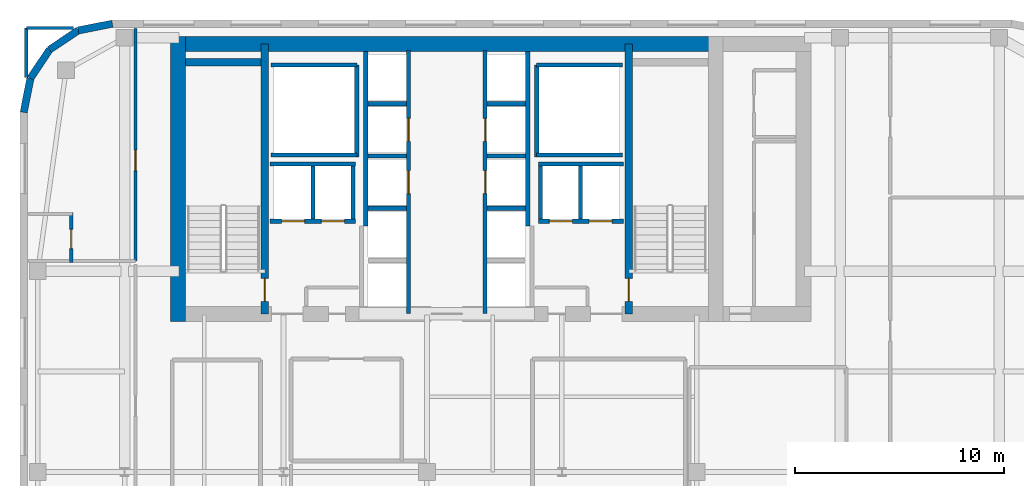
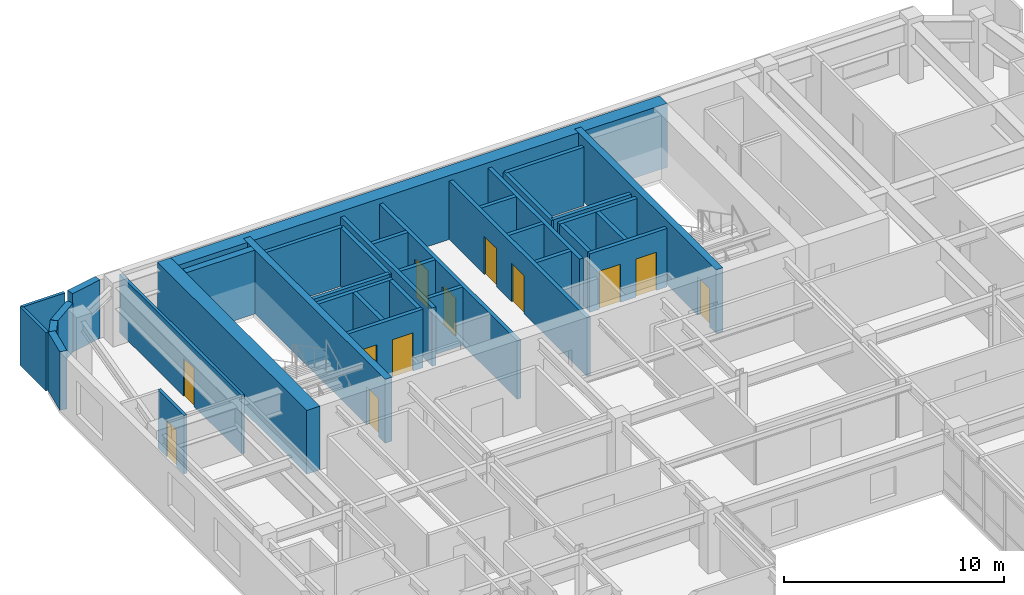
# One storey, part 11 of 14: 37 walls, 12 doors, 12 openings.
"""IFC4 building model written with IfcOpenShell, lengths in metres."""

from ifc_helpers import new_model, si_unit, direction, frame, frame_2d, origin, place, context, subcontext, project, spatial, rectangle, extrude, source, transform, mapped, material, layer, layer_set, type_object, type_shapes, element, fill, save


model = new_model("IFC4")

# Units and contexts
model_context = context("Model", 3, precision=1e-05, world=origin(), true_north=direction((0.0, 1.0)))
body_context = subcontext(model_context, "Body", "Model", "MODEL_VIEW")
ifc_project = project(units=[si_unit("LENGTHUNIT", "METRE"), si_unit("AREAUNIT", "SQUARE_METRE"), si_unit("VOLUMEUNIT", "CUBIC_METRE"), si_unit("PLANEANGLEUNIT", "RADIAN"), si_unit("MASSUNIT", "GRAM", prefix="KILO")], contexts=[model_context])

# Site, building, storey
site_placement = place(None, origin())
site = spatial("IfcSite", under=ifc_project, at=site_placement, CompositionType="ELEMENT")
building_placement = place(site_placement, origin())
building = spatial("IfcBuilding", under=site, at=building_placement, Name="Tolvann Quenvar Hotel", CompositionType="ELEMENT")
storey_placement = place(building_placement, frame((0.0, 0.0, 179.0)))
storey = spatial("IfcBuildingStorey", under=building, at=storey_placement, Name="L47", CompositionType="ELEMENT", Elevation=179.0)

# Walls
ifc_material_1 = material(Name="Concrete S65 (65 MPa)", Category="concrete")
ifc_layer_1 = layer(ifc_material_1, 0.699951171875)
ifc_layer_set_1 = layer_set([ifc_layer_1], Name="Concrete S65 (65 MPa)")
wall_type_1 = type_object("IfcWallType", Name="WALL_CORE_700", PredefinedType="SHEAR", material=ifc_layer_set_1)
wall_1_placement = place(storey_placement, frame((9.800048828125, 44.85009765625, 0.0), z_axis=(0.0, 0.0, 1.0), x_axis=(1.0, 0.0, 0.0)))
element("IfcWall", 1, at=wall_1_placement, inside=storey, type_object=wall_type_1, Name="Rear Core N Shear Wall (L47)", PredefinedType="SHEAR", context=body_context, shape_type="SweptSolid", body=[
    extrude(rectangle(XDim=26.39990234375, YDim=0.699951171875, at=frame_2d((13.199951171875, 0.0))), origin(), (0.0, 0.0, 1.0), 3.550048828125),
])
wall_2_placement = place(storey_placement, frame((10.14990234375, 31.60009765625, 0.0), z_axis=(0.0, 0.0, 1.0), x_axis=(0.0, 1.0, 0.0)))
element("IfcWall", 2, at=wall_2_placement, inside=storey, type_object=wall_type_1, Name="Rear Core W Shear Wall (L47)", PredefinedType="SHEAR", context=body_context, shape_type="SweptSolid", body=[
    extrude(rectangle(XDim=13.599853515625, YDim=0.699951171875, at=frame_2d((6.7998046875, 0.0))), origin(), (0.0, 0.0, 1.0), 3.550048828125),
])

# Wall, opening, door
ifc_layer_2 = layer(ifc_material_1, 0.35009765625)
ifc_layer_set_2 = layer_set([ifc_layer_2], Name="Concrete S65 (65 MPa)")
wall_type_2 = type_object("IfcWallType", Name="WALL_CORE_INT_350", PredefinedType="SHEAR", material=ifc_layer_set_2)
wall_3_placement = place(storey_placement, frame((14.300048828125, 31.949951171875, 0.0), z_axis=(0.0, 0.0, 1.0), x_axis=(0.0, 1.0, 0.0)))
wall_3 = element("IfcWall", 3, at=wall_3_placement, inside=storey, type_object=wall_type_2, Name="Core Internal Web Shear Wall WEB-W (L47)", PredefinedType="SHEAR", context=body_context, shape_type="SweptSolid", body=[
    extrude(rectangle(XDim=12.900146484375, YDim=0.35009765625, at=frame_2d((6.4501953125, 0.0))), origin(), (0.0, 0.0, 1.0), 3.550048828125),
])
opening_1_placement = place(wall_3_placement, frame((0.60009765625, 0.0, 0.0)))
opening_1 = element("IfcOpeningElement", 4, at=opening_1_placement, cuts=wall_3, Name="Opening FD-120", PredefinedType="OPENING", context=body_context, shape_type="SweptSolid", body=[
    extrude(rectangle(XDim=1.10009765625, YDim=2.1201171875, at=frame_2d((0.550048828125, 1.06005859375))), frame((0.0, 0.18505859375, 0.0), z_axis=(0.0, -1.0, 0.0), x_axis=(1.0, 0.0, 0.0)), (0.0, 0.0, 1.0), 0.3701171875),
])
ifc_material_2 = material(Name="Pressed galvanised steel fire-rated door set", Category="steel")
door_type_1 = type_object("IfcDoorType", Name="DOOR_FIRE_STAIR_1100", OperationType="NOTDEFINED", PredefinedType="DOOR", material=ifc_material_2)
shared_shape_1 = source(origin(), body_context, "Body", "SweptSolid", [
    extrude(rectangle(XDim=1.10009765625, YDim=2.1201171875, at=frame_2d((0.550048828125, 1.06005859375))), frame((0.0, 0.02490234375, 0.0), z_axis=(0.0, -1.0, 0.0), x_axis=(1.0, 0.0, 0.0)), (0.0, 0.0, 1.0), 0.050048828125),
])
type_shapes(door_type_1, [shared_shape_1])
door_1_placement = place(opening_1_placement, origin())
door_1 = element("IfcDoor", 5, at=door_1_placement, inside=storey, type_object=door_type_1, Name="Exit Stair ST-C1 Fire Door (L47)", OperationType="SINGLE_SWING_LEFT", OverallHeight=2.1201171875, OverallWidth=1.10009765625, PredefinedType="DOOR", context=body_context, shape_type="MappedRepresentation", body=[
    mapped(shared_shape_1, transform((0.0, 0.0, 0.0), x_axis=(1.0, 0.0, 0.0), y_axis=(0.0, 1.0, 0.0), z_axis=(0.0, 0.0, 1.0), scale=1.0)),
])
fill(opening_1, door_1)

wall_4_placement = place(storey_placement, frame((31.699951171875, 31.949951171875, 0.0), z_axis=(0.0, 0.0, 1.0), x_axis=(0.0, 1.0, 0.0)))
wall_4 = element("IfcWall", 6, at=wall_4_placement, inside=storey, type_object=wall_type_2, Name="Core Internal Web Shear Wall WEB-E (L47)", PredefinedType="SHEAR", context=body_context, shape_type="SweptSolid", body=[
    extrude(rectangle(XDim=12.900146484375, YDim=0.35009765625, at=frame_2d((6.4501953125, 0.0))), origin(), (0.0, 0.0, 1.0), 3.550048828125),
])
opening_2_placement = place(wall_4_placement, frame((1.7001953125, 0.0, 0.0), z_axis=(0.0, 0.0, 1.0), x_axis=(-1.0, 0.0, 0.0)))
opening_2 = element("IfcOpeningElement", 7, at=opening_2_placement, cuts=wall_4, Name="Opening FD-120", PredefinedType="OPENING", context=body_context, shape_type="SweptSolid", body=[
    extrude(rectangle(XDim=1.10009765625, YDim=2.1201171875, at=frame_2d((0.550048828125, 1.06005859375))), frame((0.0, 0.18505859375, 0.0), z_axis=(0.0, -1.0, 0.0), x_axis=(1.0, 0.0, 0.0)), (0.0, 0.0, 1.0), 0.3701171875),
])
door_2_placement = place(opening_2_placement, origin())
door_2 = element("IfcDoor", 8, at=door_2_placement, inside=storey, type_object=door_type_1, Name="Exit Stair ST-C2 Fire Door (L47)", OperationType="SINGLE_SWING_RIGHT", OverallHeight=2.1201171875, OverallWidth=1.10009765625, PredefinedType="DOOR", context=body_context, shape_type="MappedRepresentation", body=[
    mapped(shared_shape_1, transform((0.0, 0.0, 0.0), x_axis=(1.0, 0.0, 0.0), y_axis=(0.0, 1.0, 0.0), z_axis=(0.0, 0.0, 1.0), scale=1.0)),
])
fill(opening_2, door_2)

# Walls
wall_5_placement = place(storey_placement, frame((10.52001953125, 43.97509765625, 0.0), z_axis=(0.0, 0.0, 1.0), x_axis=(1.0, 0.0, 0.0)))
element("IfcWall", 9, at=wall_5_placement, inside=storey, type_object=wall_type_2, Name="Core Stair North Closing Shear Wall STC1-N (L47)", PredefinedType="SHEAR", context=body_context, shape_type="SweptSolid", body=[
    extrude(rectangle(XDim=3.60009765625, YDim=0.35009765625, at=frame_2d((1.800048828125, 0.0))), origin(), (0.0, 0.0, 1.0), 3.550048828125),
])
ifc_material_3 = material(Name="Kiln-fired red and buff architectural clay brickwork and terracotta masonry", Category="masonry")
ifc_layer_3 = layer(ifc_material_3, 0.35009765625)
ifc_layer_set_3 = layer_set([ifc_layer_3], Name="Kiln-fired red and buff architectural clay brickwork and terracotta masonry")
wall_type_3 = type_object("IfcWallType", Name="WALL_EXT_BRICK_350", PredefinedType="SOLIDWALL", material=ifc_layer_set_3)
wall_6_placement = place(storey_placement, frame((7.01708984375, 45.824951171875, 0.0), z_axis=(0.0, 0.0, 1.0), x_axis=(-0.980788844421, -0.195072403631, 0.0)))
element("IfcWall", 10, at=wall_6_placement, inside=storey, type_object=wall_type_3, Name="Exterior Chicago Brick Wall L47-E19", PredefinedType="SOLIDWALL", context=body_context, shape_type="SweptSolid", body=[
    extrude(rectangle(XDim=1.66455078125, YDim=0.35009765625, at=frame_2d((0.832275390625, 0.0))), origin(), (0.0, 0.0, 1.0), 3.25),
])
for number, where, z_axis, x_axis, name in (
    (11, (5.384521484375, 45.500244140625, 0.0), (0.0, 0.0, 1.0), (-0.831502623162, -0.555520825599, 0.0), "Exterior Chicago Brick Wall L47-E20"),
    (12, (4.014892578125, 44.585205078125, 0.0), (0.0, 0.0, 1.0), (-0.555623290322, -0.831434158098, 0.0), "Exterior Chicago Brick Wall L47-E21"),
):
    element("IfcWall", number, at=place(storey_placement, frame(where, z_axis=z_axis, x_axis=x_axis)), inside=storey, type_object=wall_type_3, Name=name, PredefinedType="SOLIDWALL", context=body_context, shape_type="SweptSolid", body=[
        extrude(rectangle(XDim=1.647216796875, YDim=0.35009765625, at=frame_2d((0.82373046875, 0.0))), origin(), (0.0, 0.0, 1.0), 2.7119140625),
    ])
wall_7_placement = place(storey_placement, frame((3.099609375, 43.215576171875, 0.0), z_axis=(0.0, 0.0, 1.0), x_axis=(-0.195044345786, -0.980794424524, 0.0)))
element("IfcWall", 13, at=wall_7_placement, inside=storey, type_object=wall_type_3, Name="Exterior Chicago Brick Wall L47-E22", PredefinedType="SOLIDWALL", context=body_context, shape_type="SweptSolid", body=[
    extrude(rectangle(XDim=1.664794921875, YDim=0.35009765625, at=frame_2d((0.83251953125, 0.0))), origin(), (0.0, 0.0, 1.0), 3.25),
])

# Wall, opening, door
ifc_material_4 = material(Name="Acoustic twin-stud fire-rated gypsum plasterboard partition")
ifc_layer_4 = layer(ifc_material_4, 0.14990234375)
ifc_layer_set_4 = layer_set([ifc_layer_4], Name="Acoustic twin-stud fire-rated gypsum plasterboard partition")
wall_type_4 = type_object("IfcWallType", Name="WALL_PART_SUITE_150", PredefinedType="PARTITIONING", material=ifc_layer_set_4)
wall_8_placement = place(storey_placement, frame((5.050048828125, 34.409912109375, 0.0), z_axis=(0.0, 0.0, 1.0), x_axis=(0.0, 1.0, 0.0)))
wall_8 = element("IfcWall", 14, at=wall_8_placement, inside=storey, type_object=wall_type_4, Name="Interior Partition PT-SPC-L47-ENS-NW02-ENT", PredefinedType="PARTITIONING", context=body_context, shape_type="SweptSolid", body=[
    extrude(rectangle(XDim=2.39013671875, YDim=0.14990234375, at=frame_2d((1.195068359375, 0.0))), origin(), (0.0, 0.0, 1.0), 3.25),
])
opening_3_placement = place(wall_8_placement, frame((0.6650390625, 0.0, 0.0)))
opening_3 = element("IfcOpeningElement", 15, at=opening_3_placement, cuts=wall_8, Name="Opening WD-01", PredefinedType="OPENING", context=body_context, shape_type="SweptSolid", body=[
    extrude(rectangle(XDim=0.919921875, YDim=2.010009765625, at=frame_2d((0.4599609375, 1.0048828125))), frame((0.0, 0.0849609375, 0.0), z_axis=(0.0, -1.0, 0.0), x_axis=(1.0, 0.0, 0.0)), (0.0, 0.0, 1.0), 0.169921875),
])
ifc_material_5 = material(Name="Solid-core American oak acoustic fire door leaf in steel frame", Category="steel")
door_type_2 = type_object("IfcDoorType", Name="DOOR_WC_920", OperationType="NOTDEFINED", PredefinedType="DOOR", material=ifc_material_5)
shared_shape_2 = source(origin(), body_context, "Body", "SweptSolid", [
    extrude(rectangle(XDim=0.919921875, YDim=2.010009765625, at=frame_2d((0.4599609375, 1.0048828125))), frame((0.0, 0.02490234375, 0.0), z_axis=(0.0, -1.0, 0.0), x_axis=(1.0, 0.0, 0.0)), (0.0, 0.0, 1.0), 0.050048828125),
])
type_shapes(door_type_2, [shared_shape_2])
door_3_placement = place(opening_3_placement, origin())
door_3 = element("IfcDoor", 16, at=door_3_placement, inside=storey, type_object=door_type_2, Name="Interior Door DOOR-SPC-L47-ENS-NW02", OperationType="SINGLE_SWING_LEFT", OverallHeight=2.010009765625, OverallWidth=0.919921875, PredefinedType="DOOR", context=body_context, shape_type="MappedRepresentation", body=[
    mapped(shared_shape_2, transform((0.0, 0.0, 0.0), x_axis=(1.0, 0.0, 0.0), y_axis=(0.0, 1.0, 0.0), z_axis=(0.0, 0.0, 1.0), scale=1.0)),
])
fill(opening_3, door_3)

wall_9_placement = place(storey_placement, frame((8.1201171875, 34.47998046875, 0.0), z_axis=(0.0, 0.0, 1.0), x_axis=(0.0, 1.0, 0.0)))
wall_9 = element("IfcWall", 17, at=wall_9_placement, inside=storey, type_object=wall_type_4, Name="Interior Partition PT-SPC-L47-RM-NW02-ENT", PredefinedType="PARTITIONING", context=body_context, shape_type="SweptSolid", body=[
    extrude(rectangle(XDim=11.114990234375, YDim=0.14990234375, at=frame_2d((5.5576171875, 0.0))), origin(), (0.0, 0.0, 1.0), 3.25),
])
opening_4_placement = place(wall_9_placement, frame((4.320068359375, 0.0, 0.0)))
opening_4 = element("IfcOpeningElement", 18, at=opening_4_placement, cuts=wall_9, Name="Opening SD-01", PredefinedType="OPENING", context=body_context, shape_type="SweptSolid", body=[
    extrude(rectangle(XDim=0.97998046875, YDim=2.1201171875, at=frame_2d((0.489990234375, 1.06005859375))), frame((0.0, 0.0849609375, 0.0), z_axis=(0.0, -1.0, 0.0), x_axis=(1.0, 0.0, 0.0)), (0.0, 0.0, 1.0), 0.169921875),
])
door_type_3 = type_object("IfcDoorType", Name="DOOR_SUITE_980", OperationType="NOTDEFINED", PredefinedType="DOOR", material=ifc_material_5)
shared_shape_3 = source(origin(), body_context, "Body", "SweptSolid", [
    extrude(rectangle(XDim=0.97998046875, YDim=2.1201171875, at=frame_2d((0.489990234375, 1.06005859375))), frame((0.0, 0.02490234375, 0.0), z_axis=(0.0, -1.0, 0.0), x_axis=(1.0, 0.0, 0.0)), (0.0, 0.0, 1.0), 0.050048828125),
])
type_shapes(door_type_3, [shared_shape_3])
door_4_placement = place(opening_4_placement, origin())
door_4 = element("IfcDoor", 19, at=door_4_placement, inside=storey, type_object=door_type_3, Name="Interior Door DOOR-SPC-L47-RM-NW02", OperationType="SINGLE_SWING_RIGHT", OverallHeight=2.1201171875, OverallWidth=0.97998046875, PredefinedType="DOOR", context=body_context, shape_type="MappedRepresentation", body=[
    mapped(shared_shape_3, transform((0.0, 0.0, 0.0), x_axis=(1.0, 0.0, 0.0), y_axis=(0.0, 1.0, 0.0), z_axis=(0.0, 0.0, 1.0), scale=1.0)),
])
fill(opening_4, door_4)

# Walls
wall_10_placement = place(storey_placement, frame((2.89990234375, 45.6201171875, 0.0), z_axis=(0.0, 0.0, 1.0), x_axis=(1.0, 0.0, 0.0)))
element("IfcWall", 20, at=wall_10_placement, inside=storey, type_object=wall_type_4, Name="Interior Partition PT-SPC-L47-RM-NW02-E5", PredefinedType="PARTITIONING", context=body_context, shape_type="SweptSolid", body=[
    extrude(rectangle(XDim=2.25, YDim=0.14990234375, at=frame_2d((1.125, 0.0))), origin(), (0.0, 0.0, 1.0), 3.25),
])
wall_11_placement = place(storey_placement, frame((2.89990234375, 43.2548828125, 0.0), z_axis=(0.0, 0.0, 1.0), x_axis=(0.0, 1.0, 0.0)))
element("IfcWall", 21, at=wall_11_placement, inside=storey, type_object=wall_type_4, Name="Interior Partition PT-SPC-L47-RM-NW02-E6", PredefinedType="PARTITIONING", context=body_context, shape_type="SweptSolid", body=[
    extrude(rectangle(XDim=2.365234375, YDim=0.14990234375, at=frame_2d((1.1826171875, 0.0))), origin(), (0.0, 0.0, 1.0), 3.25),
])
ifc_material_6 = material(Name="Concrete N40 (40 MPa)", Category="concrete")
ifc_layer_5 = layer(ifc_material_6, 0.199951171875)
ifc_layer_set_5 = layer_set([ifc_layer_5], Name="Concrete N40 (40 MPa)")
wall_type_5 = type_object("IfcWallType", Name="WALL_SHAFT_200", PredefinedType="SOLIDWALL", material=ifc_layer_set_5)
wall_12_placement = place(storey_placement, frame((18.699951171875, 39.449951171875, 0.0), z_axis=(0.0, 0.0, 1.0), x_axis=(0.0, 1.0, 0.0)))
element("IfcWall", 22, at=wall_12_placement, inside=storey, type_object=wall_type_5, Name="Service Riser W Shaft Wall IN (L47)", PredefinedType="SOLIDWALL", context=body_context, shape_type="SweptSolid", body=[
    extrude(rectangle(XDim=4.400146484375, YDim=0.199951171875, at=frame_2d((2.2001953125, 0.0))), origin(), (0.0, 0.0, 1.0), 3.25),
])
for number, where, z_axis, x_axis, name in (
    (23, (14.60009765625, 39.550048828125, 0.0), (0.0, 0.0, 1.0), (1.0, 0.0, 0.0), "Service Riser W Shaft Wall S (L47)"),
    (24, (14.60009765625, 43.85009765625, 0.0), (0.0, 0.0, 1.0), (1.0, 0.0, 0.0), "Service Riser W Shaft Wall N (L47)"),
):
    element("IfcWall", number, at=place(storey_placement, frame(where, z_axis=z_axis, x_axis=x_axis)), inside=storey, type_object=wall_type_5, Name=name, PredefinedType="SOLIDWALL", context=body_context, shape_type="SweptSolid", body=[
        extrude(rectangle(XDim=4.099853515625, YDim=0.199951171875, at=frame_2d((2.0498046875, 0.0))), origin(), (0.0, 0.0, 1.0), 3.25),
    ])
wall_13_placement = place(storey_placement, frame((27.300048828125, 39.449951171875, 0.0), z_axis=(0.0, 0.0, 1.0), x_axis=(0.0, 1.0, 0.0)))
element("IfcWall", 25, at=wall_13_placement, inside=storey, type_object=wall_type_5, Name="Service Riser E Shaft Wall IN (L47)", PredefinedType="SOLIDWALL", context=body_context, shape_type="SweptSolid", body=[
    extrude(rectangle(XDim=4.400146484375, YDim=0.199951171875, at=frame_2d((2.2001953125, 0.0))), origin(), (0.0, 0.0, 1.0), 3.25),
])
for number, where, z_axis, x_axis, name in (
    (26, (27.300048828125, 39.550048828125, 0.0), (0.0, 0.0, 1.0), (1.0, 0.0, 0.0), "Service Riser E Shaft Wall S (L47)"),
    (27, (27.300048828125, 43.85009765625, 0.0), (0.0, 0.0, 1.0), (1.0, 0.0, 0.0), "Service Riser E Shaft Wall N (L47)"),
):
    element("IfcWall", number, at=place(storey_placement, frame(where, z_axis=z_axis, x_axis=x_axis)), inside=storey, type_object=wall_type_5, Name=name, PredefinedType="SOLIDWALL", context=body_context, shape_type="SweptSolid", body=[
        extrude(rectangle(XDim=4.099853515625, YDim=0.199951171875, at=frame_2d((2.0498046875, 0.0))), origin(), (0.0, 0.0, 1.0), 3.25),
    ])

# Wall, openings, doors
wall_14_placement = place(storey_placement, frame((21.169921875, 31.9599609375, 0.0), z_axis=(0.0, 0.0, 1.0), x_axis=(0.0, 1.0, 0.0)))
wall_14 = element("IfcWall", 28, at=wall_14_placement, inside=storey, type_object=wall_type_5, Name="Lift Bank E21.1C1 Hoistway Front Wall (L47)", PredefinedType="SOLIDWALL", context=body_context, shape_type="SweptSolid", body=[
    extrude(rectangle(XDim=12.580078125, YDim=0.199951171875, at=frame_2d((6.2900390625, 0.0))), origin(), (0.0, 0.0, 1.0), 3.25),
])
opening_5_placement = place(wall_14_placement, frame((5.739990234375, 0.0, 0.0)))
opening_5 = element("IfcOpeningElement", 29, at=opening_5_placement, cuts=wall_14, Name="Opening LD-01", PredefinedType="OPENING", context=body_context, shape_type="SweptSolid", body=[
    extrude(rectangle(XDim=1.10009765625, YDim=2.1201171875, at=frame_2d((0.550048828125, 1.06005859375))), frame((0.0, 0.10986328125, 0.0), z_axis=(0.0, -1.0, 0.0), x_axis=(1.0, 0.0, 0.0)), (0.0, 0.0, 1.0), 0.219970703125),
])
opening_6_placement = place(wall_14_placement, frame((8.239990234375, 0.0, 0.0)))
opening_6 = element("IfcOpeningElement", 30, at=opening_6_placement, cuts=wall_14, Name="Opening LD-01", PredefinedType="OPENING", context=body_context, shape_type="SweptSolid", body=[
    extrude(rectangle(XDim=1.10009765625, YDim=2.1201171875, at=frame_2d((0.550048828125, 1.06005859375))), frame((0.0, 0.10986328125, 0.0), z_axis=(0.0, -1.0, 0.0), x_axis=(1.0, 0.0, 0.0)), (0.0, 0.0, 1.0), 0.219970703125),
])
ifc_material_7 = material(Name="Brushed 316 stainless steel automatic sliding lift landing door", Category="steel")
door_type_4 = type_object("IfcDoorType", Name="DOOR_LIFT_SLIDE_1100", OperationType="NOTDEFINED", PredefinedType="DOOR", material=ifc_material_7)
shared_shape_4 = source(origin(), body_context, "Body", "SweptSolid", [
    extrude(rectangle(XDim=1.10009765625, YDim=2.1201171875, at=frame_2d((0.550048828125, 1.06005859375))), frame((0.0, 0.02490234375, 0.0), z_axis=(0.0, -1.0, 0.0), x_axis=(1.0, 0.0, 0.0)), (0.0, 0.0, 1.0), 0.050048828125),
])
type_shapes(door_type_4, [shared_shape_4])
door_5_placement = place(opening_5_placement, origin())
door_5 = element("IfcDoor", 31, at=door_5_placement, inside=storey, type_object=door_type_4, Name="Lift PM-1 Sliding Landing Door (L47)", OperationType="SLIDING_TO_RIGHT", OverallHeight=2.1201171875, OverallWidth=1.10009765625, PredefinedType="DOOR", context=body_context, shape_type="MappedRepresentation", body=[
    mapped(shared_shape_4, transform((0.0, 0.0, 0.0), x_axis=(1.0, 0.0, 0.0), y_axis=(0.0, 1.0, 0.0), z_axis=(0.0, 0.0, 1.0), scale=1.0)),
])
fill(opening_5, door_5)
door_6_placement = place(opening_6_placement, origin())
door_6 = element("IfcDoor", 32, at=door_6_placement, inside=storey, type_object=door_type_4, Name="Lift PM-2 Sliding Landing Door (L47)", OperationType="SLIDING_TO_LEFT", OverallHeight=2.1201171875, OverallWidth=1.10009765625, PredefinedType="DOOR", context=body_context, shape_type="MappedRepresentation", body=[
    mapped(shared_shape_4, transform((0.0, 0.0, 0.0), x_axis=(1.0, 0.0, 0.0), y_axis=(0.0, 1.0, 0.0), z_axis=(0.0, 0.0, 1.0), scale=1.0)),
])
fill(opening_6, door_6)

# Walls
wall_15_placement = place(storey_placement, frame((19.1298828125, 36.159912109375, 0.0), z_axis=(0.0, 0.0, 1.0), x_axis=(0.0, 1.0, 0.0)))
element("IfcWall", 33, at=wall_15_placement, inside=storey, type_object=wall_type_5, Name="Lift Bank E21.1C1 Hoistway Rear Wall (L47)", PredefinedType="SOLIDWALL", context=body_context, shape_type="SweptSolid", body=[
    extrude(rectangle(XDim=8.336181640625, YDim=0.199951171875, at=frame_2d((4.16796875, 0.0))), origin(), (0.0, 0.0, 1.0), 3.25),
])
for number, where, z_axis, x_axis, name in (
    (34, (19.22998046875, 37.0, 0.0), (0.0, 0.0, 1.0), (1.0, 0.0, 0.0), "Lift Bank E21.1C1 Divider Wall 2 (L47)"),
    (35, (19.22998046875, 39.5, 0.0), (0.0, 0.0, 1.0), (1.0, 0.0, 0.0), "Lift Bank E21.1C1 Divider Wall 3 (L47)"),
    (36, (19.22998046875, 42.0, 0.0), (0.0, 0.0, 1.0), (1.0, 0.0, 0.0), "Lift Bank E21.1C1 Divider Wall 4 (L47)"),
):
    element("IfcWall", number, at=place(storey_placement, frame(where, z_axis=z_axis, x_axis=x_axis)), inside=storey, type_object=wall_type_5, Name=name, PredefinedType="SOLIDWALL", context=body_context, shape_type="SweptSolid", body=[
        extrude(rectangle(XDim=1.840087890625, YDim=0.199951171875, at=frame_2d((0.919921875, 0.0))), origin(), (0.0, 0.0, 1.0), 3.25),
    ])

# Wall, openings, doors
wall_16_placement = place(storey_placement, frame((27.375, 36.3798828125, 0.0), z_axis=(0.0, 0.0, 1.0), x_axis=(1.0, 0.0, 0.0)))
wall_16 = element("IfcWall", 37, at=wall_16_placement, inside=storey, type_object=wall_type_5, Name="Lift Bank SEC1 Hoistway Front Wall (L47)", PredefinedType="SOLIDWALL", context=body_context, shape_type="SweptSolid", body=[
    extrude(rectangle(XDim=4.074951171875, YDim=0.199951171875, at=frame_2d((2.03759765625, 0.0))), origin(), (0.0, 0.0, 1.0), 3.25),
])
opening_7_placement = place(wall_16_placement, frame((0.52490234375, 0.0, 0.0)))
opening_7 = element("IfcOpeningElement", 38, at=opening_7_placement, cuts=wall_16, Name="Opening LD-01", PredefinedType="OPENING", context=body_context, shape_type="SweptSolid", body=[
    extrude(rectangle(XDim=1.10009765625, YDim=2.1201171875, at=frame_2d((0.550048828125, 1.06005859375))), frame((0.0, 0.10986328125, 0.0), z_axis=(0.0, -1.0, 0.0), x_axis=(1.0, 0.0, 0.0)), (0.0, 0.0, 1.0), 0.219970703125),
])
opening_8_placement = place(wall_16_placement, frame((2.425048828125, 0.0, 0.0)))
opening_8 = element("IfcOpeningElement", 39, at=opening_8_placement, cuts=wall_16, Name="Opening LD-01", PredefinedType="OPENING", context=body_context, shape_type="SweptSolid", body=[
    extrude(rectangle(XDim=1.10009765625, YDim=2.1201171875, at=frame_2d((0.550048828125, 1.06005859375))), frame((0.0, 0.10986328125, 0.0), z_axis=(0.0, -1.0, 0.0), x_axis=(1.0, 0.0, 0.0)), (0.0, 0.0, 1.0), 0.219970703125),
])
door_7_placement = place(opening_7_placement, origin())
door_7 = element("IfcDoor", 40, at=door_7_placement, inside=storey, type_object=door_type_4, Name="Lift SV-2 Sliding Landing Door (L47)", OperationType="SLIDING_TO_LEFT", OverallHeight=2.1201171875, OverallWidth=1.10009765625, PredefinedType="DOOR", context=body_context, shape_type="MappedRepresentation", body=[
    mapped(shared_shape_4, transform((0.0, 0.0, 0.0), x_axis=(1.0, 0.0, 0.0), y_axis=(0.0, 1.0, 0.0), z_axis=(0.0, 0.0, 1.0), scale=1.0)),
])
fill(opening_7, door_7)
door_8_placement = place(opening_8_placement, origin())
door_8 = element("IfcDoor", 41, at=door_8_placement, inside=storey, type_object=door_type_4, Name="Lift FF-2 Sliding Landing Door (L47)", OperationType="SLIDING_TO_RIGHT", OverallHeight=2.1201171875, OverallWidth=1.10009765625, PredefinedType="DOOR", context=body_context, shape_type="MappedRepresentation", body=[
    mapped(shared_shape_4, transform((0.0, 0.0, 0.0), x_axis=(1.0, 0.0, 0.0), y_axis=(0.0, 1.0, 0.0), z_axis=(0.0, 0.0, 1.0), scale=1.0)),
])
fill(opening_8, door_8)

# Walls
wall_17_placement = place(storey_placement, frame((27.375, 39.1201171875, 0.0), z_axis=(0.0, 0.0, 1.0), x_axis=(1.0, 0.0, 0.0)))
element("IfcWall", 42, at=wall_17_placement, inside=storey, type_object=wall_type_5, Name="Lift Bank SEC1 Hoistway Rear Wall (L47)", PredefinedType="SOLIDWALL", context=body_context, shape_type="SweptSolid", body=[
    extrude(rectangle(XDim=4.074951171875, YDim=0.199951171875, at=frame_2d((2.03759765625, 0.0))), origin(), (0.0, 0.0, 1.0), 3.25),
])
for number, where, z_axis, x_axis, name in (
    (43, (27.47509765625, 36.47998046875, 0.0), (0.0, 0.0, 1.0), (0.0, 1.0, 0.0), "Lift Bank SEC1 Hoistway Cheek Wall 1 (L47)"),
    (44, (29.387451171875, 36.47998046875, 0.0), (0.0, 0.0, 1.0), (0.0, 1.0, 0.0), "Lift Bank SEC1 Divider Wall 1 (L47)"),
):
    element("IfcWall", number, at=place(storey_placement, frame(where, z_axis=z_axis, x_axis=x_axis)), inside=storey, type_object=wall_type_5, Name=name, PredefinedType="SOLIDWALL", context=body_context, shape_type="SweptSolid", body=[
        extrude(rectangle(XDim=2.5400390625, YDim=0.199951171875, at=frame_2d((1.27001953125, 0.0))), origin(), (0.0, 0.0, 1.0), 3.25),
    ])

# Wall, openings, doors
wall_18_placement = place(storey_placement, frame((14.550048828125, 36.3798828125, 0.0), z_axis=(0.0, 0.0, 1.0), x_axis=(1.0, 0.0, 0.0)))
wall_18 = element("IfcWall", 45, at=wall_18_placement, inside=storey, type_object=wall_type_5, Name="Lift Bank SWC1 Hoistway Front Wall (L47)", PredefinedType="SOLIDWALL", context=body_context, shape_type="SweptSolid", body=[
    extrude(rectangle(XDim=4.074951171875, YDim=0.199951171875, at=frame_2d((2.03759765625, 0.0))), origin(), (0.0, 0.0, 1.0), 3.25),
])
opening_9_placement = place(wall_18_placement, frame((0.550048828125, 0.0, 0.0)))
opening_9 = element("IfcOpeningElement", 46, at=opening_9_placement, cuts=wall_18, Name="Opening LD-01", PredefinedType="OPENING", context=body_context, shape_type="SweptSolid", body=[
    extrude(rectangle(XDim=1.10009765625, YDim=2.1201171875, at=frame_2d((0.550048828125, 1.06005859375))), frame((0.0, 0.10986328125, 0.0), z_axis=(0.0, -1.0, 0.0), x_axis=(1.0, 0.0, 0.0)), (0.0, 0.0, 1.0), 0.219970703125),
])
opening_10_placement = place(wall_18_placement, frame((2.449951171875, 0.0, 0.0)))
opening_10 = element("IfcOpeningElement", 47, at=opening_10_placement, cuts=wall_18, Name="Opening LD-01", PredefinedType="OPENING", context=body_context, shape_type="SweptSolid", body=[
    extrude(rectangle(XDim=1.10009765625, YDim=2.1201171875, at=frame_2d((0.550048828125, 1.06005859375))), frame((0.0, 0.10986328125, 0.0), z_axis=(0.0, -1.0, 0.0), x_axis=(1.0, 0.0, 0.0)), (0.0, 0.0, 1.0), 0.219970703125),
])
door_9_placement = place(opening_9_placement, origin())
door_9 = element("IfcDoor", 48, at=door_9_placement, inside=storey, type_object=door_type_4, Name="Lift FF-1 Sliding Landing Door (L47)", OperationType="SLIDING_TO_LEFT", OverallHeight=2.1201171875, OverallWidth=1.10009765625, PredefinedType="DOOR", context=body_context, shape_type="MappedRepresentation", body=[
    mapped(shared_shape_4, transform((0.0, 0.0, 0.0), x_axis=(1.0, 0.0, 0.0), y_axis=(0.0, 1.0, 0.0), z_axis=(0.0, 0.0, 1.0), scale=1.0)),
])
fill(opening_9, door_9)
door_10_placement = place(opening_10_placement, origin())
door_10 = element("IfcDoor", 49, at=door_10_placement, inside=storey, type_object=door_type_4, Name="Lift SV-1 Sliding Landing Door (L47)", OperationType="SLIDING_TO_RIGHT", OverallHeight=2.1201171875, OverallWidth=1.10009765625, PredefinedType="DOOR", context=body_context, shape_type="MappedRepresentation", body=[
    mapped(shared_shape_4, transform((0.0, 0.0, 0.0), x_axis=(1.0, 0.0, 0.0), y_axis=(0.0, 1.0, 0.0), z_axis=(0.0, 0.0, 1.0), scale=1.0)),
])
fill(opening_10, door_10)

# Walls
wall_19_placement = place(storey_placement, frame((14.550048828125, 39.1201171875, 0.0), z_axis=(0.0, 0.0, 1.0), x_axis=(1.0, 0.0, 0.0)))
element("IfcWall", 50, at=wall_19_placement, inside=storey, type_object=wall_type_5, Name="Lift Bank SWC1 Hoistway Rear Wall (L47)", PredefinedType="SOLIDWALL", context=body_context, shape_type="SweptSolid", body=[
    extrude(rectangle(XDim=4.074951171875, YDim=0.199951171875, at=frame_2d((2.03759765625, 0.0))), origin(), (0.0, 0.0, 1.0), 3.25),
])
for number, where, z_axis, x_axis, name in (
    (51, (18.52490234375, 36.47998046875, 0.0), (0.0, 0.0, 1.0), (0.0, 1.0, 0.0), "Lift Bank SWC1 Hoistway Cheek Wall 2 (L47)"),
    (52, (16.612548828125, 36.47998046875, 0.0), (0.0, 0.0, 1.0), (0.0, 1.0, 0.0), "Lift Bank SWC1 Divider Wall 1 (L47)"),
):
    element("IfcWall", number, at=place(storey_placement, frame(where, z_axis=z_axis, x_axis=x_axis)), inside=storey, type_object=wall_type_5, Name=name, PredefinedType="SOLIDWALL", context=body_context, shape_type="SweptSolid", body=[
        extrude(rectangle(XDim=2.5400390625, YDim=0.199951171875, at=frame_2d((1.27001953125, 0.0))), origin(), (0.0, 0.0, 1.0), 3.25),
    ])

# Wall, openings, doors
wall_20_placement = place(storey_placement, frame((24.830078125, 31.9599609375, 0.0), z_axis=(0.0, 0.0, 1.0), x_axis=(0.0, 1.0, 0.0)))
wall_20 = element("IfcWall", 53, at=wall_20_placement, inside=storey, type_object=wall_type_5, Name="Lift Bank W24.9C1 Hoistway Front Wall (L47)", PredefinedType="SOLIDWALL", context=body_context, shape_type="SweptSolid", body=[
    extrude(rectangle(XDim=12.580078125, YDim=0.199951171875, at=frame_2d((6.2900390625, 0.0))), origin(), (0.0, 0.0, 1.0), 3.25),
])
opening_11_placement = place(wall_20_placement, frame((5.739990234375, 0.0, 0.0)))
opening_11 = element("IfcOpeningElement", 54, at=opening_11_placement, cuts=wall_20, Name="Opening LD-01", PredefinedType="OPENING", context=body_context, shape_type="SweptSolid", body=[
    extrude(rectangle(XDim=1.10009765625, YDim=2.1201171875, at=frame_2d((0.550048828125, 1.06005859375))), frame((0.0, 0.10986328125, 0.0), z_axis=(0.0, -1.0, 0.0), x_axis=(1.0, 0.0, 0.0)), (0.0, 0.0, 1.0), 0.219970703125),
])
opening_12_placement = place(wall_20_placement, frame((8.239990234375, 0.0, 0.0)))
opening_12 = element("IfcOpeningElement", 55, at=opening_12_placement, cuts=wall_20, Name="Opening LD-01", PredefinedType="OPENING", context=body_context, shape_type="SweptSolid", body=[
    extrude(rectangle(XDim=1.10009765625, YDim=2.1201171875, at=frame_2d((0.550048828125, 1.06005859375))), frame((0.0, 0.10986328125, 0.0), z_axis=(0.0, -1.0, 0.0), x_axis=(1.0, 0.0, 0.0)), (0.0, 0.0, 1.0), 0.219970703125),
])
door_11_placement = place(opening_11_placement, origin())
door_11 = element("IfcDoor", 56, at=door_11_placement, inside=storey, type_object=door_type_4, Name="Lift PM-3 Sliding Landing Door (L47)", OperationType="SLIDING_TO_RIGHT", OverallHeight=2.1201171875, OverallWidth=1.10009765625, PredefinedType="DOOR", context=body_context, shape_type="MappedRepresentation", body=[
    mapped(shared_shape_4, transform((0.0, 0.0, 0.0), x_axis=(1.0, 0.0, 0.0), y_axis=(0.0, 1.0, 0.0), z_axis=(0.0, 0.0, 1.0), scale=1.0)),
])
fill(opening_11, door_11)
door_12_placement = place(opening_12_placement, origin())
door_12 = element("IfcDoor", 57, at=door_12_placement, inside=storey, type_object=door_type_4, Name="Lift PM-4 Sliding Landing Door (L47)", OperationType="SLIDING_TO_LEFT", OverallHeight=2.1201171875, OverallWidth=1.10009765625, PredefinedType="DOOR", context=body_context, shape_type="MappedRepresentation", body=[
    mapped(shared_shape_4, transform((0.0, 0.0, 0.0), x_axis=(1.0, 0.0, 0.0), y_axis=(0.0, 1.0, 0.0), z_axis=(0.0, 0.0, 1.0), scale=1.0)),
])
fill(opening_12, door_12)

# Walls
wall_21_placement = place(storey_placement, frame((26.8701171875, 36.159912109375, 0.0), z_axis=(0.0, 0.0, 1.0), x_axis=(0.0, 1.0, 0.0)))
element("IfcWall", 58, at=wall_21_placement, inside=storey, type_object=wall_type_5, Name="Lift Bank W24.9C1 Hoistway Rear Wall (L47)", PredefinedType="SOLIDWALL", context=body_context, shape_type="SweptSolid", body=[
    extrude(rectangle(XDim=8.336181640625, YDim=0.199951171875, at=frame_2d((4.16796875, 0.0))), origin(), (0.0, 0.0, 1.0), 3.25),
])
for number, where, z_axis, x_axis, name in (
    (59, (24.929931640625, 37.0, 0.0), (0.0, 0.0, 1.0), (1.0, 0.0, 0.0), "Lift Bank W24.9C1 Divider Wall 2 (L47)"),
    (60, (24.929931640625, 39.5, 0.0), (0.0, 0.0, 1.0), (1.0, 0.0, 0.0), "Lift Bank W24.9C1 Divider Wall 3 (L47)"),
    (61, (24.929931640625, 42.0, 0.0), (0.0, 0.0, 1.0), (1.0, 0.0, 0.0), "Lift Bank W24.9C1 Divider Wall 4 (L47)"),
):
    element("IfcWall", number, at=place(storey_placement, frame(where, z_axis=z_axis, x_axis=x_axis)), inside=storey, type_object=wall_type_5, Name=name, PredefinedType="SOLIDWALL", context=body_context, shape_type="SweptSolid", body=[
        extrude(rectangle(XDim=1.840087890625, YDim=0.199951171875, at=frame_2d((0.919921875, 0.0))), origin(), (0.0, 0.0, 1.0), 3.25),
    ])

save(model, "model.ifc")
